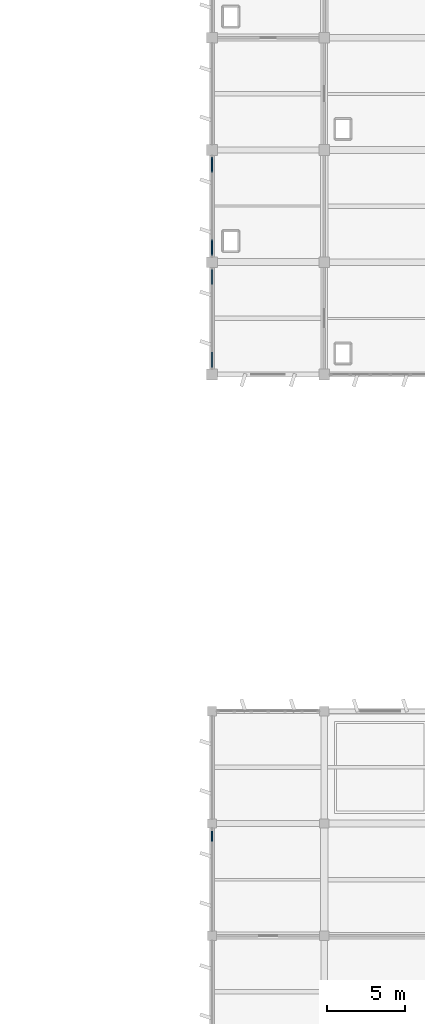
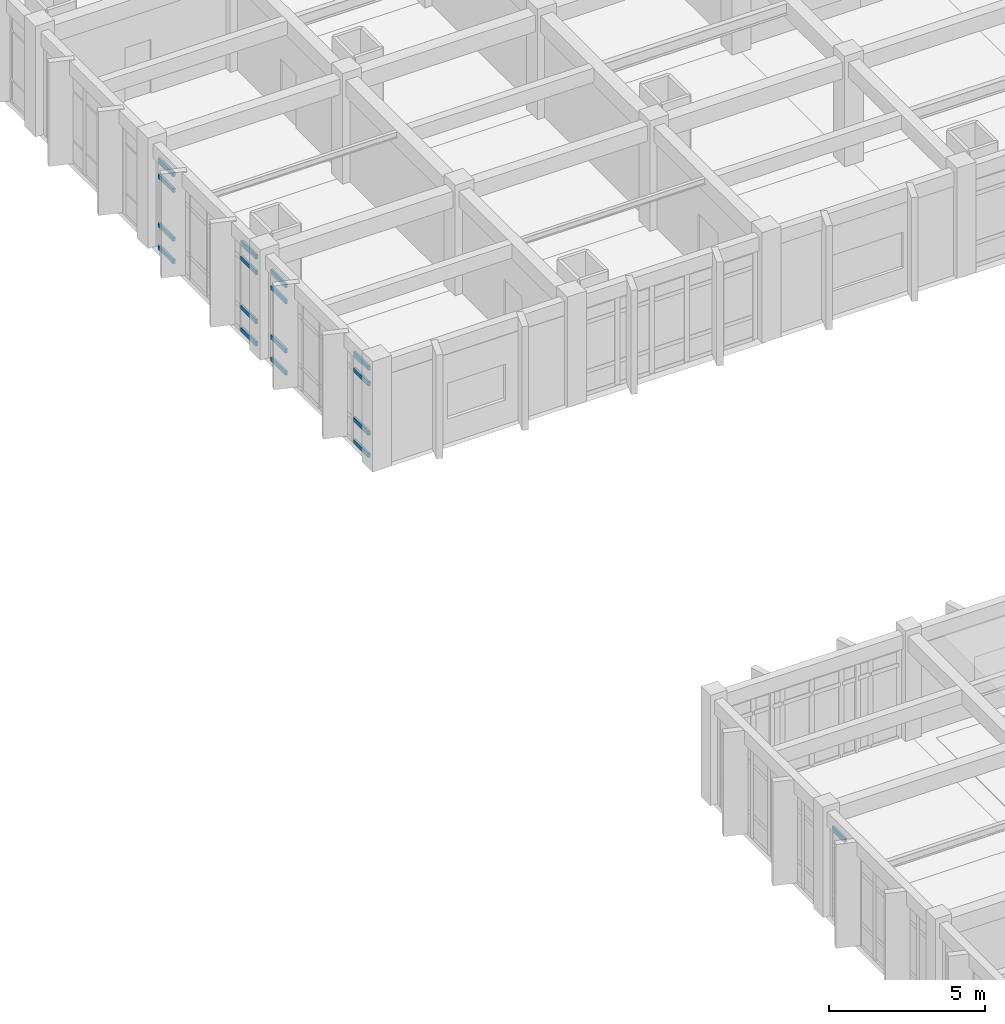
# One storey, part 31 of 70: 17 members, 3 elements without a shape of their own.
"""IFC4 building model written with IfcOpenShell, lengths in metres."""

from ifc_helpers import new_model, si_unit, direction, frame, origin, origin_2d, place, context, subcontext, project, spatial, rectangle, extrude, material, layer, layer_set, material_profile, profile_set, type_object, element, aggregate, save


model = new_model("IFC4")

# Units and contexts
model_context = context("Model", 3, precision=1e-05, world=origin(), true_north=direction((0.0, 1.0)))
body_context = subcontext(model_context, "Body", "Model", "MODEL_VIEW")
ifc_project = project(units=[si_unit("LENGTHUNIT", "METRE"), si_unit("AREAUNIT", "SQUARE_METRE"), si_unit("VOLUMEUNIT", "CUBIC_METRE"), si_unit("PLANEANGLEUNIT", "RADIAN"), si_unit("MASSUNIT", "GRAM", prefix="KILO")], contexts=[model_context])

# Site, building, storey
site_placement = place(None, origin())
site = spatial("IfcSite", under=ifc_project, at=site_placement, CompositionType="ELEMENT")
building_placement = place(site_placement, origin())
building = spatial("IfcBuilding", under=site, at=building_placement, Name="Kavelor Marine Aquarium", CompositionType="ELEMENT")
storey_placement = place(building_placement, frame((0.0, 0.0, 9.179931640625)))
storey = spatial("IfcBuildingStorey", under=building, at=storey_placement, Name="L02", CompositionType="ELEMENT", Elevation=9.179931640625)

# Curtain wall, member
ifc_material_1 = material(Name="Thermally Broken Aluminium and Low-E Glass", Category="aluminium")
ifc_layer_1 = layer(ifc_material_1, 0.156005859375)
ifc_layer_set_1 = layer_set([ifc_layer_1], Name="CW-SYS2")
curtain_wall_type_1 = type_object("IfcCurtainWallType", Name="CW-SYS2", PredefinedType="USERDEFINED", material=ifc_layer_set_1)
curtain_wall_1_placement = place(storey_placement, origin())
curtain_wall_1 = element("IfcCurtainWall", 1, at=curtain_wall_1_placement, inside=storey, type_object=curtain_wall_type_1, Name="cw:y:L02:16_02", ObjectType="Curtain Wall", PredefinedType="USERDEFINED")
ifc_material_2 = material(Name="Anodised Aluminium Alloy 6063-T6", Category="aluminium")
ifc_material_profile_1 = material_profile(ifc_material_2, rectangle(XDim=0.080078125, YDim=0.155029296875, at=origin_2d()), Name="CW-TRN 80x155")
ifc_profile_set_1 = profile_set([ifc_material_profile_1], Name="Anodised Aluminium Alloy 6063-T6")
member_type_1 = type_object("IfcMemberType", Name="CWT-2", PredefinedType="USERDEFINED", material=ifc_profile_set_1)
member_1_placement = place(storey_placement, frame((118.39990234375, 23.989990234375, 3.487548828125), z_axis=(0.0, -1.0, 0.0), x_axis=(1.0, 0.0, 0.0)))
member_1 = element("IfcMember", 2, at=member_1_placement, type_object=member_type_1, Name="CW02 transom 1.4", ObjectType="TRANSOM", PredefinedType="USERDEFINED", context=body_context, shape_type="SweptSolid", body=[
    extrude(rectangle(XDim=0.080078125, YDim=0.155029296875, at=origin_2d()), origin(), (0.0, 0.0, 1.0), 0.83251953125),
])
aggregate(curtain_wall_1, [member_1])

# Curtain wall, members
ifc_material_3 = material(Name="Thermally Broken Aluminium and Low-E Glass", Category="aluminium")
ifc_layer_2 = layer(ifc_material_3, 0.172119140625)
ifc_layer_set_2 = layer_set([ifc_layer_2], Name="CW-SYS4")
curtain_wall_type_2 = type_object("IfcCurtainWallType", Name="CW-SYS4", PredefinedType="USERDEFINED", material=ifc_layer_set_2)
curtain_wall_2_placement = place(storey_placement, origin())
curtain_wall_2 = element("IfcCurtainWall", 3, at=curtain_wall_2_placement, inside=storey, type_object=curtain_wall_type_2, Name="cw:y:L02:16_07", ObjectType="Curtain Wall", PredefinedType="USERDEFINED")
ifc_material_4 = material(Name="Anodised Aluminium Alloy 6063-T6", Category="aluminium")
ifc_material_profile_2 = material_profile(ifc_material_4, rectangle(XDim=0.0849609375, YDim=0.159912109375, at=origin_2d()), Name="CW-TRN 85x160")
ifc_profile_set_2 = profile_set([ifc_material_profile_2], Name="Anodised Aluminium Alloy 6063-T6")
member_type_2 = type_object("IfcMemberType", Name="CWT-3", PredefinedType="USERDEFINED", material=ifc_profile_set_2)
member_2_placement = place(storey_placement, frame((118.39990234375, 59.929931640625, 0.030029296875), z_axis=(0.0, -1.0, 0.0), x_axis=(1.0, 0.0, 0.0)))
member_2 = element("IfcMember", 4, at=member_2_placement, type_object=member_type_2, Name="CW04 transom 1.1", ObjectType="TRANSOM", PredefinedType="USERDEFINED", context=body_context, shape_type="SweptSolid", body=[
    extrude(rectangle(XDim=0.0849609375, YDim=0.159912109375, at=origin_2d()), origin(), (0.0, 0.0, 1.0), 0.955810546875),
])
member_3_placement = place(storey_placement, frame((118.39990234375, 59.929931640625, 0.900146484375), z_axis=(0.0, -1.0, 0.0), x_axis=(1.0, 0.0, 0.0)))
member_3 = element("IfcMember", 5, at=member_3_placement, type_object=member_type_2, Name="CW04 transom 1.2", ObjectType="TRANSOM", PredefinedType="USERDEFINED", context=body_context, shape_type="SweptSolid", body=[
    extrude(rectangle(XDim=0.0849609375, YDim=0.159912109375, at=origin_2d()), origin(), (0.0, 0.0, 1.0), 0.955810546875),
])
member_4_placement = place(storey_placement, frame((118.39990234375, 59.929931640625, 2.830078125), z_axis=(0.0, -1.0, 0.0), x_axis=(1.0, 0.0, 0.0)))
member_4 = element("IfcMember", 6, at=member_4_placement, type_object=member_type_2, Name="CW04 transom 1.3", ObjectType="TRANSOM", PredefinedType="USERDEFINED", context=body_context, shape_type="SweptSolid", body=[
    extrude(rectangle(XDim=0.0849609375, YDim=0.159912109375, at=origin_2d()), origin(), (0.0, 0.0, 1.0), 0.955810546875),
])
member_5_placement = place(storey_placement, frame((118.39990234375, 59.929931640625, 3.449951171875), z_axis=(0.0, -1.0, 0.0), x_axis=(1.0, 0.0, 0.0)))
member_5 = element("IfcMember", 7, at=member_5_placement, type_object=member_type_2, Name="CW04 transom 1.4", ObjectType="TRANSOM", PredefinedType="USERDEFINED", context=body_context, shape_type="SweptSolid", body=[
    extrude(rectangle(XDim=0.0849609375, YDim=0.159912109375, at=origin_2d()), origin(), (0.0, 0.0, 1.0), 0.955810546875),
])
member_6_placement = place(storey_placement, frame((118.39990234375, 54.625732421875, 0.030029296875), z_axis=(0.0, -1.0, 0.0), x_axis=(1.0, 0.0, 0.0)))
member_6 = element("IfcMember", 8, at=member_6_placement, type_object=member_type_2, Name="CW04 transom 6.1", ObjectType="TRANSOM", PredefinedType="USERDEFINED", context=body_context, shape_type="SweptSolid", body=[
    extrude(rectangle(XDim=0.0849609375, YDim=0.159912109375, at=origin_2d()), origin(), (0.0, 0.0, 1.0), 0.955810546875),
])
member_7_placement = place(storey_placement, frame((118.39990234375, 54.625732421875, 0.900146484375), z_axis=(0.0, -1.0, 0.0), x_axis=(1.0, 0.0, 0.0)))
member_7 = element("IfcMember", 9, at=member_7_placement, type_object=member_type_2, Name="CW04 transom 6.2", ObjectType="TRANSOM", PredefinedType="USERDEFINED", context=body_context, shape_type="SweptSolid", body=[
    extrude(rectangle(XDim=0.0849609375, YDim=0.159912109375, at=origin_2d()), origin(), (0.0, 0.0, 1.0), 0.955810546875),
])
member_8_placement = place(storey_placement, frame((118.39990234375, 54.625732421875, 2.830078125), z_axis=(0.0, -1.0, 0.0), x_axis=(1.0, 0.0, 0.0)))
member_8 = element("IfcMember", 10, at=member_8_placement, type_object=member_type_2, Name="CW04 transom 6.3", ObjectType="TRANSOM", PredefinedType="USERDEFINED", context=body_context, shape_type="SweptSolid", body=[
    extrude(rectangle(XDim=0.0849609375, YDim=0.159912109375, at=origin_2d()), origin(), (0.0, 0.0, 1.0), 0.955810546875),
])
member_9_placement = place(storey_placement, frame((118.39990234375, 54.625732421875, 3.449951171875), z_axis=(0.0, -1.0, 0.0), x_axis=(1.0, 0.0, 0.0)))
member_9 = element("IfcMember", 11, at=member_9_placement, type_object=member_type_2, Name="CW04 transom 6.4", ObjectType="TRANSOM", PredefinedType="USERDEFINED", context=body_context, shape_type="SweptSolid", body=[
    extrude(rectangle(XDim=0.0849609375, YDim=0.159912109375, at=origin_2d()), origin(), (0.0, 0.0, 1.0), 0.955810546875),
])
aggregate(curtain_wall_2, [member_2, member_3, member_4, member_5, member_6, member_7, member_8, member_9])

ifc_material_5 = material(Name="Thermally Broken Aluminium and Low-E Glass", Category="aluminium")
ifc_layer_3 = layer(ifc_material_5, 0.179931640625)
ifc_layer_set_3 = layer_set([ifc_layer_3], Name="CW-SYS5")
curtain_wall_type_3 = type_object("IfcCurtainWallType", Name="CW-SYS5", PredefinedType="USERDEFINED", material=ifc_layer_set_3)
curtain_wall_3_placement = place(storey_placement, origin())
curtain_wall_3 = element("IfcCurtainWall", 12, at=curtain_wall_3_placement, inside=storey, type_object=curtain_wall_type_3, Name="cw:y:L02:16_08", ObjectType="Curtain Wall", PredefinedType="USERDEFINED")
member_10_placement = place(storey_placement, frame((118.39990234375, 67.139892578125, 0.030029296875), z_axis=(0.0, -1.0, 0.0), x_axis=(1.0, 0.0, 0.0)))
member_10 = element("IfcMember", 13, at=member_10_placement, type_object=member_type_2, Name="CW05 transom 1.1", ObjectType="TRANSOM", PredefinedType="USERDEFINED", context=body_context, shape_type="SweptSolid", body=[
    extrude(rectangle(XDim=0.0849609375, YDim=0.159912109375, at=origin_2d()), origin(), (0.0, 0.0, 1.0), 0.970703125),
])
member_11_placement = place(storey_placement, frame((118.39990234375, 67.139892578125, 0.900146484375), z_axis=(0.0, -1.0, 0.0), x_axis=(1.0, 0.0, 0.0)))
member_11 = element("IfcMember", 14, at=member_11_placement, type_object=member_type_2, Name="CW05 transom 1.2", ObjectType="TRANSOM", PredefinedType="USERDEFINED", context=body_context, shape_type="SweptSolid", body=[
    extrude(rectangle(XDim=0.0849609375, YDim=0.159912109375, at=origin_2d()), origin(), (0.0, 0.0, 1.0), 0.970703125),
])
member_12_placement = place(storey_placement, frame((118.39990234375, 67.139892578125, 2.81005859375), z_axis=(0.0, -1.0, 0.0), x_axis=(1.0, 0.0, 0.0)))
member_12 = element("IfcMember", 15, at=member_12_placement, type_object=member_type_2, Name="CW05 transom 1.3", ObjectType="TRANSOM", PredefinedType="USERDEFINED", context=body_context, shape_type="SweptSolid", body=[
    extrude(rectangle(XDim=0.0849609375, YDim=0.159912109375, at=origin_2d()), origin(), (0.0, 0.0, 1.0), 0.970703125),
])
member_13_placement = place(storey_placement, frame((118.39990234375, 67.139892578125, 3.43017578125), z_axis=(0.0, -1.0, 0.0), x_axis=(1.0, 0.0, 0.0)))
member_13 = element("IfcMember", 16, at=member_13_placement, type_object=member_type_2, Name="CW05 transom 1.4", ObjectType="TRANSOM", PredefinedType="USERDEFINED", context=body_context, shape_type="SweptSolid", body=[
    extrude(rectangle(XDim=0.0849609375, YDim=0.159912109375, at=origin_2d()), origin(), (0.0, 0.0, 1.0), 0.970703125),
])
member_14_placement = place(storey_placement, frame((118.39990234375, 61.830810546875, 0.030029296875), z_axis=(0.0, -1.0, 0.0), x_axis=(1.0, 0.0, 0.0)))
member_14 = element("IfcMember", 17, at=member_14_placement, type_object=member_type_2, Name="CW05 transom 6.1", ObjectType="TRANSOM", PredefinedType="USERDEFINED", context=body_context, shape_type="SweptSolid", body=[
    extrude(rectangle(XDim=0.0849609375, YDim=0.159912109375, at=origin_2d()), origin(), (0.0, 0.0, 1.0), 0.970703125),
])
member_15_placement = place(storey_placement, frame((118.39990234375, 61.830810546875, 0.900146484375), z_axis=(0.0, -1.0, 0.0), x_axis=(1.0, 0.0, 0.0)))
member_15 = element("IfcMember", 18, at=member_15_placement, type_object=member_type_2, Name="CW05 transom 6.2", ObjectType="TRANSOM", PredefinedType="USERDEFINED", context=body_context, shape_type="SweptSolid", body=[
    extrude(rectangle(XDim=0.0849609375, YDim=0.159912109375, at=origin_2d()), origin(), (0.0, 0.0, 1.0), 0.970703125),
])
member_16_placement = place(storey_placement, frame((118.39990234375, 61.830810546875, 2.81005859375), z_axis=(0.0, -1.0, 0.0), x_axis=(1.0, 0.0, 0.0)))
member_16 = element("IfcMember", 19, at=member_16_placement, type_object=member_type_2, Name="CW05 transom 6.3", ObjectType="TRANSOM", PredefinedType="USERDEFINED", context=body_context, shape_type="SweptSolid", body=[
    extrude(rectangle(XDim=0.0849609375, YDim=0.159912109375, at=origin_2d()), origin(), (0.0, 0.0, 1.0), 0.970703125),
])
member_17_placement = place(storey_placement, frame((118.39990234375, 61.830810546875, 3.43017578125), z_axis=(0.0, -1.0, 0.0), x_axis=(1.0, 0.0, 0.0)))
member_17 = element("IfcMember", 20, at=member_17_placement, type_object=member_type_2, Name="CW05 transom 6.4", ObjectType="TRANSOM", PredefinedType="USERDEFINED", context=body_context, shape_type="SweptSolid", body=[
    extrude(rectangle(XDim=0.0849609375, YDim=0.159912109375, at=origin_2d()), origin(), (0.0, 0.0, 1.0), 0.970703125),
])
aggregate(curtain_wall_3, [member_10, member_11, member_12, member_13, member_14, member_15, member_16, member_17])

save(model, "model.ifc")
